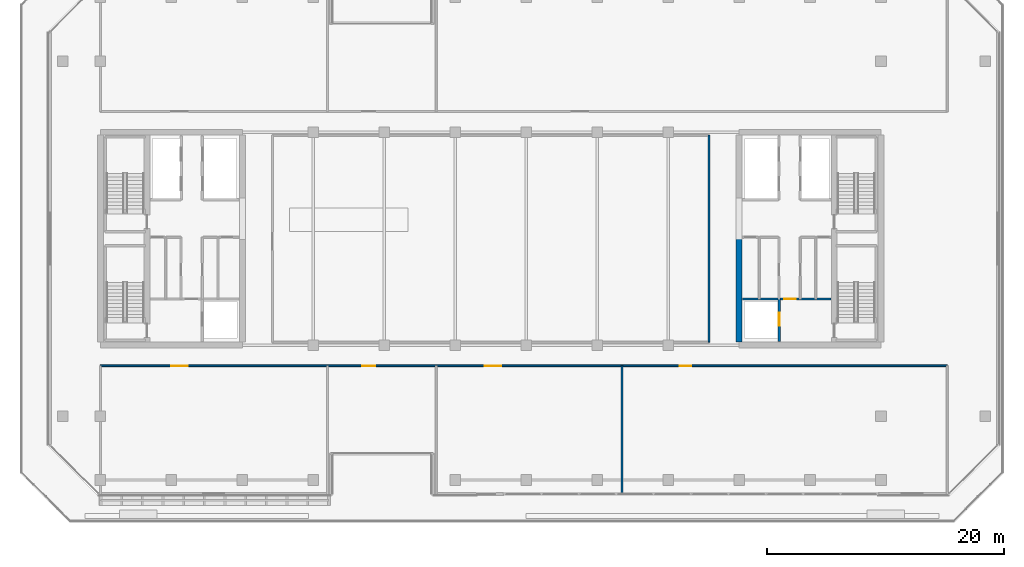
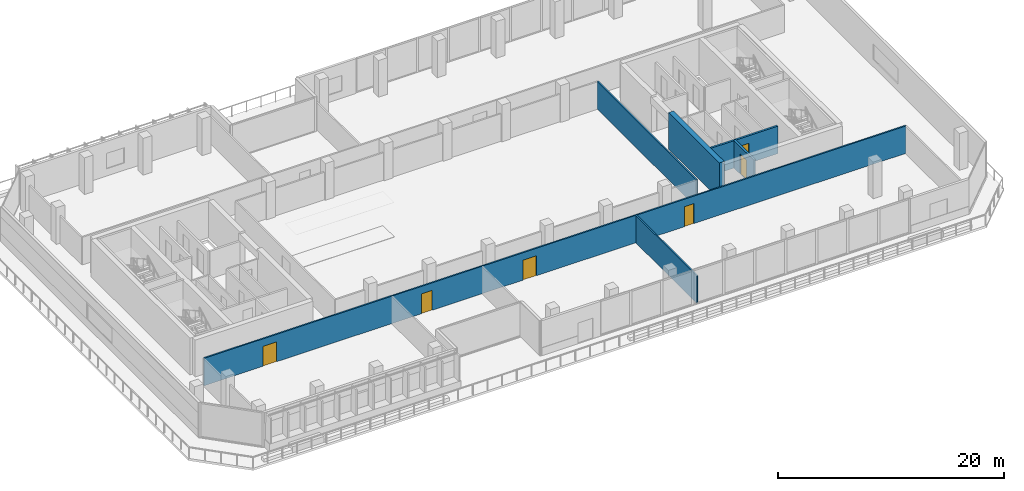
# One storey, part 21 of 30: 6 doors, 6 walls, 6 openings.
"""IFC4 building model written with IfcOpenShell, lengths in metres."""

from ifc_helpers import new_model, si_unit, direction, frame, frame_2d, origin, place, context, subcontext, project, spatial, rectangle, extrude, material, layer, layer_set, type_object, element, fill, save


model = new_model("IFC4")

# Units and contexts
model_context = context("Model", 3, precision=1e-05, world=origin(), true_north=direction((0.0, 1.0)))
body_context = subcontext(model_context, "Body", "Model", "MODEL_VIEW")
ifc_project = project(units=[si_unit("LENGTHUNIT", "METRE"), si_unit("AREAUNIT", "SQUARE_METRE"), si_unit("VOLUMEUNIT", "CUBIC_METRE"), si_unit("PLANEANGLEUNIT", "RADIAN"), si_unit("MASSUNIT", "GRAM", prefix="KILO")], contexts=[model_context])

# Site, building, storey
site_placement = place(None, origin())
site = spatial("IfcSite", under=ifc_project, at=site_placement, CompositionType="ELEMENT")
building_placement = place(site_placement, origin())
building = spatial("IfcBuilding", under=site, at=building_placement, Name="Tanjung Sevakor Pilgrim Tower", CompositionType="ELEMENT")
storey_placement = place(building_placement, frame((0.0, 0.0, 128.0400390625)))
storey = spatial("IfcBuildingStorey", under=building, at=storey_placement, Name="L35", CompositionType="ELEMENT", Elevation=128.0400390625)

# Walls
ifc_material_1 = material(Name="Concrete C60/75", Category="concrete")
ifc_layer_1 = layer(ifc_material_1, 0.5)
ifc_layer_set_1 = layer_set([ifc_layer_1], Name="WALL-CW-500")
wall_type_1 = type_object("IfcWallType", Name="WALL-CW-500", PredefinedType="SHEAR", material=ifc_layer_set_1)
wall_1_placement = place(storey_placement, frame((78.0, 24.85009765625, 0.0), z_axis=(0.0, 0.0, 1.0), x_axis=(0.0, 1.0, 0.0)))
element("IfcWall", 1, at=wall_1_placement, inside=storey, type_object=wall_type_1, Name="L35 E Core Inner Shear Wall South", PredefinedType="SHEAR", context=body_context, shape_type="SweptSolid", body=[
    extrude(rectangle(XDim=8.949951171875, YDim=0.5, at=frame_2d((4.47509765625, 0.0))), origin(), (0.0, 0.0, 1.0), 3.9599609375),
])
ifc_material_2 = material(Name="Concrete C40/50", Category="concrete")
ifc_layer_2 = layer(ifc_material_2, 0.14990234375)
ifc_layer_set_2 = layer_set([ifc_layer_2], Name="WT-COMP-150")
wall_type_2 = type_object("IfcWallType", Name="WT-COMP-150", PredefinedType="SOLIDWALL", material=ifc_layer_set_2)
wall_2_placement = place(storey_placement, frame((75.449951171875, 24.85009765625, 0.0), z_axis=(0.0, 0.0, 1.0), x_axis=(0.0, 1.0, 0.0)))
element("IfcWall", 2, at=wall_2_placement, inside=storey, type_object=wall_type_2, Name="L35 Partition IW-L35-032", PredefinedType="SOLIDWALL", context=body_context, shape_type="SweptSolid", body=[
    extrude(rectangle(XDim=17.5, YDim=0.14990234375, at=frame_2d((8.75, 0.0))), origin(), (0.0, 0.0, 1.0), 2.9599609375),
])

# Wall, openings, doors
wall_3_placement = place(storey_placement, frame((24.0, 22.85009765625, 0.0), z_axis=(0.0, 0.0, 1.0), x_axis=(1.0, 0.0, 0.0)))
wall_3 = element("IfcWall", 3, at=wall_3_placement, inside=storey, type_object=wall_type_2, Name="L35 Partition IW-L35-038", PredefinedType="SOLIDWALL", context=body_context, shape_type="SweptSolid", body=[
    extrude(rectangle(XDim=71.60009765625, YDim=0.14990234375, at=frame_2d((35.800048828125, 0.0))), origin(), (0.0, 0.0, 1.0), 2.9599609375),
])
opening_1_placement = place(wall_3_placement, frame((6.0, 0.0, 0.0)))
opening_1 = element("IfcOpeningElement", 4, at=opening_1_placement, cuts=wall_3, Name="Opening ID-HD1", PredefinedType="OPENING", context=body_context, shape_type="SweptSolid", body=[
    extrude(rectangle(XDim=1.39990234375, YDim=2.14990234375, at=frame_2d((0.699951171875, 1.074951171875))), frame((0.0, 0.0849609375, 0.0), z_axis=(0.0, -1.0, 0.0), x_axis=(1.0, 0.0, 0.0)), (0.0, 0.0, 1.0), 0.169921875),
])
opening_2_placement = place(wall_3_placement, frame((22.14990234375, 0.0, 0.0)))
opening_2 = element("IfcOpeningElement", 5, at=opening_2_placement, cuts=wall_3, Name="Opening ID-RM2", PredefinedType="OPENING", context=body_context, shape_type="SweptSolid", body=[
    extrude(rectangle(XDim=1.10009765625, YDim=2.14990234375, at=frame_2d((0.550048828125, 1.074951171875))), frame((0.0, 0.0849609375, 0.0), z_axis=(0.0, -1.0, 0.0), x_axis=(1.0, 0.0, 0.0)), (0.0, 0.0, 1.0), 0.169921875),
])
opening_3_placement = place(wall_3_placement, frame((32.5, 0.0, 0.0)))
opening_3 = element("IfcOpeningElement", 6, at=opening_3_placement, cuts=wall_3, Name="Opening ID-HD1", PredefinedType="OPENING", context=body_context, shape_type="SweptSolid", body=[
    extrude(rectangle(XDim=1.39990234375, YDim=2.14990234375, at=frame_2d((0.699951171875, 1.074951171875))), frame((0.0, 0.0849609375, 0.0), z_axis=(0.0, -1.0, 0.0), x_axis=(1.0, 0.0, 0.0)), (0.0, 0.0, 1.0), 0.169921875),
])
opening_4_placement = place(wall_3_placement, frame((49.0, 0.0, 0.0)))
opening_4 = element("IfcOpeningElement", 7, at=opening_4_placement, cuts=wall_3, Name="Opening ID-FD2", PredefinedType="OPENING", context=body_context, shape_type="SweptSolid", body=[
    extrude(rectangle(XDim=0.949951171875, YDim=2.14990234375, at=frame_2d((0.47509765625, 1.074951171875))), frame((0.0, 0.0849609375, 0.0), z_axis=(0.0, -1.0, 0.0), x_axis=(1.0, 0.0, 0.0)), (0.0, 0.0, 1.0), 0.169921875),
])
ifc_material_3 = material(Name="Fire-Rated Timber", Category="wood")
door_type_1 = type_object("IfcDoorType", Name="DT-FIRE-950", OperationType="NOTDEFINED", PredefinedType="DOOR", material=ifc_material_3)
door_1_placement = place(opening_4_placement, origin())
door_1 = element("IfcDoor", 8, at=door_1_placement, inside=storey, type_object=door_type_1, Name="L35 Sky Pantry Door", OperationType="SINGLE_SWING_LEFT", OverallHeight=2.14990234375, OverallWidth=0.949951171875, PredefinedType="DOOR", context=body_context, shape_type="SweptSolid", body=[
    extrude(rectangle(XDim=0.949951171875, YDim=2.14990234375, at=frame_2d((0.47509765625, 1.074951171875))), frame((0.0, 0.02490234375, 0.0), z_axis=(0.0, -1.0, 0.0), x_axis=(1.0, 0.0, 0.0)), (0.0, 0.0, 1.0), 0.050048828125),
])
fill(opening_4, door_1)
ifc_material_4 = material(Name="Hardwood Timber", Category="wood")
door_type_2 = type_object("IfcDoorType", Name="DT-INT-1100", OperationType="NOTDEFINED", PredefinedType="DOOR", material=ifc_material_4)
door_2_placement = place(opening_2_placement, origin())
door_2 = element("IfcDoor", 9, at=door_2_placement, inside=storey, type_object=door_type_2, Name="L35 Tea Sanctuary Door", OperationType="SINGLE_SWING_LEFT", OverallHeight=2.14990234375, OverallWidth=1.10009765625, PredefinedType="DOOR", context=body_context, shape_type="SweptSolid", body=[
    extrude(rectangle(XDim=1.10009765625, YDim=2.14990234375, at=frame_2d((0.550048828125, 1.074951171875))), frame((0.0, 0.02490234375, 0.0), z_axis=(0.0, -1.0, 0.0), x_axis=(1.0, 0.0, 0.0)), (0.0, 0.0, 1.0), 0.050048828125),
])
fill(opening_2, door_2)
ifc_material_5 = material(Name="Hardwood Timber", Category="wood")
door_type_3 = type_object("IfcDoorType", Name="DT-INT-1400", OperationType="DOUBLE_DOOR_SINGLE_SWING", PredefinedType="DOOR", material=ifc_material_5)
door_3_placement = place(opening_1_placement, origin())
door_3 = element("IfcDoor", 10, at=door_3_placement, inside=storey, type_object=door_type_3, Name="L35 Sky Lounge Door", OperationType="SINGLE_SWING_RIGHT", OverallHeight=2.14990234375, OverallWidth=1.39990234375, PredefinedType="DOOR", context=body_context, shape_type="SweptSolid", body=[
    extrude(rectangle(XDim=1.39990234375, YDim=2.14990234375, at=frame_2d((0.699951171875, 1.074951171875))), frame((0.0, 0.02490234375, 0.0), z_axis=(0.0, -1.0, 0.0), x_axis=(1.0, 0.0, 0.0)), (0.0, 0.0, 1.0), 0.050048828125),
])
fill(opening_1, door_3)
door_4_placement = place(opening_3_placement, origin())
door_4 = element("IfcDoor", 11, at=door_4_placement, inside=storey, type_object=door_type_3, Name="L35 Sky Observatory Door", OperationType="SINGLE_SWING_RIGHT", OverallHeight=2.14990234375, OverallWidth=1.39990234375, PredefinedType="DOOR", context=body_context, shape_type="SweptSolid", body=[
    extrude(rectangle(XDim=1.39990234375, YDim=2.14990234375, at=frame_2d((0.699951171875, 1.074951171875))), frame((0.0, 0.02490234375, 0.0), z_axis=(0.0, -1.0, 0.0), x_axis=(1.0, 0.0, 0.0)), (0.0, 0.0, 1.0), 0.050048828125),
])
fill(opening_3, door_4)

# Wall, opening, door
ifc_material_6 = material(Name="Concrete C40/50", Category="concrete")
ifc_layer_3 = layer(ifc_material_6, 0.199951171875)
ifc_layer_set_3 = layer_set([ifc_layer_3], Name="WT-FPRT-200")
wall_type_3 = type_object("IfcWallType", Name="WT-FPRT-200", PredefinedType="SOLIDWALL", material=ifc_layer_set_3)
wall_4_placement = place(storey_placement, frame((81.39990234375, 24.919921875, 0.0), z_axis=(0.0, 0.0, 1.0), x_axis=(0.0, 1.0, 0.0)))
wall_4 = element("IfcWall", 12, at=wall_4_placement, inside=storey, type_object=wall_type_3, Name="L35 Partition IW-L35-015", PredefinedType="SOLIDWALL", context=body_context, shape_type="SweptSolid", body=[
    extrude(rectangle(XDim=3.580078125, YDim=0.199951171875, at=frame_2d((1.7900390625, 0.0))), origin(), (0.0, 0.0, 1.0), 2.9599609375),
])
opening_5_placement = place(wall_4_placement, frame((1.300048828125, 0.0, 0.0)))
opening_5 = element("IfcOpeningElement", 13, at=opening_5_placement, cuts=wall_4, Name="Opening LD-1100", PredefinedType="OPENING", context=body_context, shape_type="SweptSolid", body=[
    extrude(rectangle(XDim=1.10009765625, YDim=2.199951171875, at=frame_2d((0.550048828125, 1.10009765625))), frame((0.0, 0.10986328125, 0.0), z_axis=(0.0, -1.0, 0.0), x_axis=(1.0, 0.0, 0.0)), (0.0, 0.0, 1.0), 0.219970703125),
])
ifc_material_7 = material(Name="Brushed Stainless Steel S355J2", Category="steel")
door_type_4 = type_object("IfcDoorType", Name="DT-LIFT-1100", OperationType="SLIDING_TO_LEFT", PredefinedType="DOOR", material=ifc_material_7)
door_5_placement = place(opening_5_placement, origin())
door_5 = element("IfcDoor", 14, at=door_5_placement, inside=storey, type_object=door_type_4, Name="LD-FL-E", OperationType="SLIDING_TO_LEFT", OverallHeight=2.199951171875, OverallWidth=1.10009765625, PredefinedType="DOOR", context=body_context, shape_type="SweptSolid", body=[
    extrude(rectangle(XDim=1.10009765625, YDim=2.199951171875, at=frame_2d((0.550048828125, 1.10009765625))), frame((0.0, 0.02490234375, 0.0), z_axis=(0.0, -1.0, 0.0), x_axis=(1.0, 0.0, 0.0)), (0.0, 0.0, 1.0), 0.050048828125),
])
fill(opening_5, door_5)

wall_5_placement = place(storey_placement, frame((78.27001953125, 28.5, 0.0), z_axis=(0.0, 0.0, 1.0), x_axis=(1.0, 0.0, 0.0)))
wall_5 = element("IfcWall", 15, at=wall_5_placement, inside=storey, type_object=wall_type_3, Name="L35 Partition IW-L35-016", PredefinedType="SOLIDWALL", context=body_context, shape_type="SweptSolid", body=[
    extrude(rectangle(XDim=7.510009765625, YDim=0.199951171875, at=frame_2d((3.7548828125, 0.0))), origin(), (0.0, 0.0, 1.0), 2.9599609375),
])
opening_6_placement = place(wall_5_placement, frame((3.530029296875, 0.0, 0.0)))
opening_6 = element("IfcOpeningElement", 16, at=opening_6_placement, cuts=wall_5, Name="Opening ID-FD1", PredefinedType="OPENING", context=body_context, shape_type="SweptSolid", body=[
    extrude(rectangle(XDim=1.0, YDim=2.14990234375, at=frame_2d((0.5, 1.074951171875))), frame((0.0, 0.10986328125, 0.0), z_axis=(0.0, -1.0, 0.0), x_axis=(1.0, 0.0, 0.0)), (0.0, 0.0, 1.0), 0.219970703125),
])
ifc_material_8 = material(Name="Fire-Rated Steel S355J2", Category="steel")
door_type_5 = type_object("IfcDoorType", Name="DT-FIRE-1000", OperationType="NOTDEFINED", PredefinedType="DOOR", material=ifc_material_8)
door_6_placement = place(opening_6_placement, origin())
door_6 = element("IfcDoor", 17, at=door_6_placement, inside=storey, type_object=door_type_5, Name="Fire Lobby Door E", OperationType="SINGLE_SWING_RIGHT", OverallHeight=2.14990234375, OverallWidth=1.0, PredefinedType="DOOR", context=body_context, shape_type="SweptSolid", body=[
    extrude(rectangle(XDim=1.0, YDim=2.14990234375, at=frame_2d((0.5, 1.074951171875))), frame((0.0, 0.02490234375, 0.0), z_axis=(0.0, -1.0, 0.0), x_axis=(1.0, 0.0, 0.0)), (0.0, 0.0, 1.0), 0.050048828125),
])
fill(opening_6, door_6)

# Wall
ifc_material_9 = material(Name="Gypsum Board Partition", Category="gypsum board")
ifc_layer_4 = layer(ifc_material_9, 0.14990234375)
ifc_layer_set_4 = layer_set([ifc_layer_4], Name="WT-PART-150")
wall_type_4 = type_object("IfcWallType", Name="WT-PART-150", PredefinedType="PARTITIONING", material=ifc_layer_set_4)
wall_6_placement = place(storey_placement, frame((68.10009765625, 12.0, 0.0), z_axis=(0.0, 0.0, 1.0), x_axis=(0.0, 1.0, 0.0)))
element("IfcWall", 18, at=wall_6_placement, inside=storey, type_object=wall_type_4, Name="L35 Partition IW-L35-036", PredefinedType="PARTITIONING", context=body_context, shape_type="SweptSolid", body=[
    extrude(rectangle(XDim=10.85009765625, YDim=0.14990234375, at=frame_2d((5.425048828125, 0.0))), origin(), (0.0, 0.0, 1.0), 2.9599609375),
])

save(model, "model.ifc")
